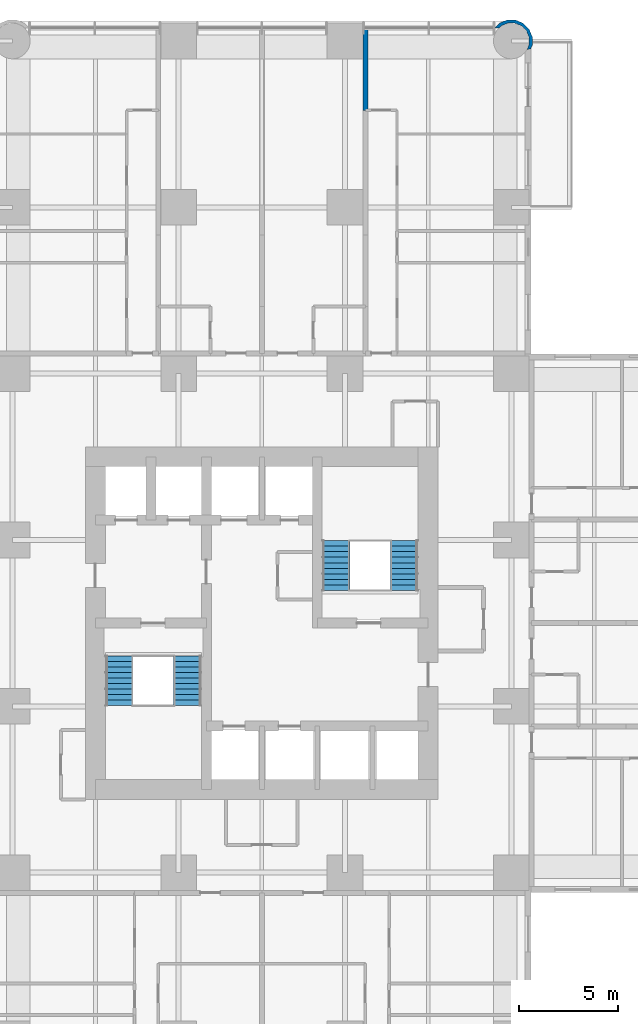
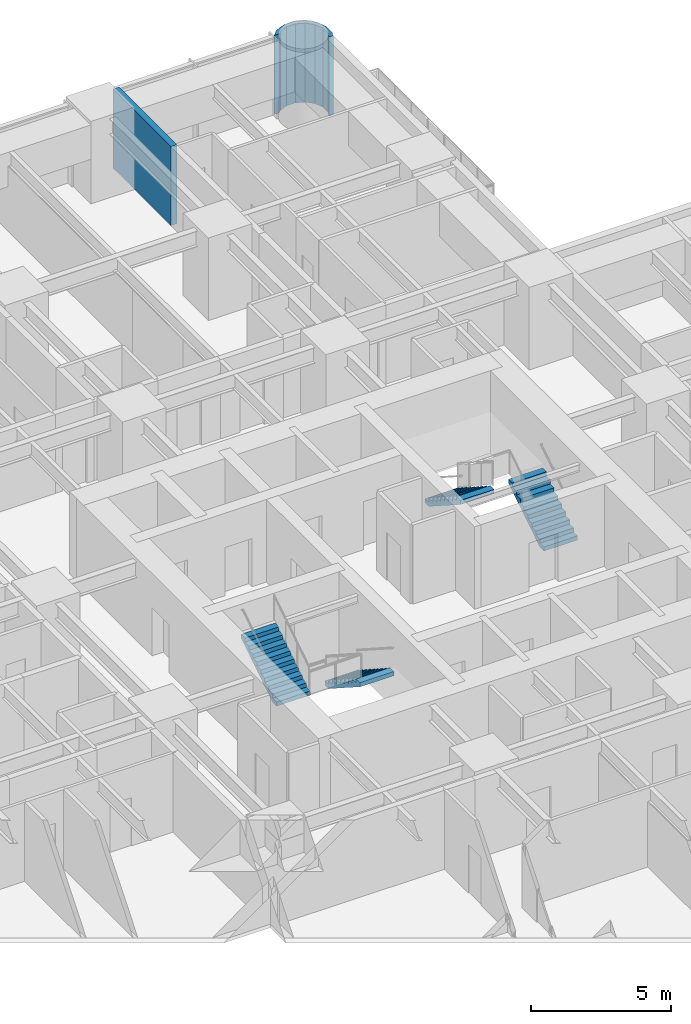
# One storey, part 15 of 17: 4 stair flights, 2 walls, 2 elements without a shape of their own.
"""IFC4 building model written with IfcOpenShell, lengths in metres."""

from ifc_helpers import new_model, si_unit, direction, frame, frame_2d, origin, place, context, subcontext, project, spatial, polyline, rectangle, outline, extrude, material, layer, layer_set, type_object, element, aggregate, save


model = new_model("IFC4")

# Units and contexts
model_context = context("Model", 3, precision=1e-05, world=origin(), true_north=direction((0.0, 1.0)))
body_context = subcontext(model_context, "Body", "Model", "MODEL_VIEW")
ifc_project = project(units=[si_unit("LENGTHUNIT", "METRE"), si_unit("AREAUNIT", "SQUARE_METRE"), si_unit("VOLUMEUNIT", "CUBIC_METRE"), si_unit("PLANEANGLEUNIT", "RADIAN"), si_unit("MASSUNIT", "GRAM", prefix="KILO")], contexts=[model_context])

# Site, building, storey
site_placement = place(None, origin())
site = spatial("IfcSite", under=ifc_project, at=site_placement, CompositionType="ELEMENT")
building_placement = place(site_placement, origin())
building = spatial("IfcBuilding", under=site, at=building_placement, Name="Torre Alcanfor", CompositionType="ELEMENT")
storey_placement = place(building_placement, frame((0.0, 0.0, 88.5)))
storey = spatial("IfcBuildingStorey", under=building, at=storey_placement, Name="L22", CompositionType="ELEMENT", Elevation=88.5)

# Walls
ifc_material_1 = material(Name="Concrete block masonry, hollow blocks NMX-C-404 9 MPa", Category="masonry")
ifc_layer_1 = layer(ifc_material_1, 0.25)
ifc_layer_set_1 = layer_set([ifc_layer_1], Name="Party wall 250 EI 60")
wall_type_1 = type_object("IfcWallType", Name="Party wall 250 EI 60", PredefinedType="PARTITIONING", material=ifc_layer_set_1)
wall_1_placement = place(storey_placement, frame((34.62890625, 59.449951171875, 0.0), z_axis=(0.0, 0.0, 1.0), x_axis=(0.0, -1.0, 0.0)))
element("IfcWall", 1, at=wall_1_placement, inside=storey, type_object=wall_type_1, Name="Partition L22-N2A-STUDIO / L22-N2B-LIVING", PredefinedType="PARTITIONING", context=body_context, shape_type="SweptSolid", body=[
    extrude(rectangle(XDim=4.14990234375, YDim=0.25, at=frame_2d((2.074951171875, 0.0))), origin(), (0.0, 0.0, 1.0), 3.449951171875),
])
ifc_material_2 = material(Name="Limestone cladding", Category="masonry")
ifc_layer_2 = layer(ifc_material_2, 0.0400390625, Name="Facing")
ifc_material_3 = material(Name="Ventilated air cavity")
ifc_layer_3 = layer(ifc_material_3, 0.02001953125, ventilated=True, Name="Ventilated joint")
ifc_material_4 = material(Name="Mineral wool insulation", Category="insulation")
ifc_layer_4 = layer(ifc_material_4, 0.10009765625, Name="Insulation")
ifc_material_5 = material(Name="Concrete f'c 35 MPa", Category="concrete")
ifc_layer_5 = layer(ifc_material_5, 0.139892578125, Name="Backing")
ifc_layer_set_2 = layer_set([ifc_layer_2, ifc_layer_3, ifc_layer_4, ifc_layer_5], Name="Rounded corner pier stone-clad 300")
wall_type_2 = type_object("IfcWallType", Name="Rounded corner pier stone-clad 300", PredefinedType="SOLIDWALL", material=ifc_layer_set_2)
wall_2_placement = place(storey_placement, frame((42.909907157, 58.436037137, 0.0), z_axis=(0.0, 0.0, 1.0), x_axis=(0.377204953059, 0.926129809145, 0.0)))
element("IfcWall", 2, at=wall_2_placement, inside=storey, type_object=wall_type_2, Name="Corner pier L22 19", PredefinedType="SOLIDWALL", context=body_context, shape_type="SweptSolid", body=[
    extrude(outline(polyline([(0.7691852559267269, 1.7275655888693722), (0.7500837815089341, 1.7226854696447296), (0.5995184426781746, 1.8748886632921522), (0.2945936606603473, 2.0035010026328943), (0.2810273060341947, 1.997975539453316), (0.36031770266114094, 1.803298350568026), (0.5085974876189833, 1.7408474269996308), (0.7606365681954048, 1.4857768783201941), (0.8958262339890831, 1.1538534018003268), (0.8937222712355792, 0.7952725095567933), (0.7546148492098406, 0.46498406151765126), (0.499678315387847, 0.21326317790465843), (0.16775483886797962, 0.07807351211098004), (-0.09987659960761772, 0.07952365190173498), (0.0005179574386563676, -0.09706789048462287), (0.030062934124933945, -0.08028941878374739), (0.19840443706273136, -0.08131937838229769), (0.5888893443854909, 0.07772187013655965), (0.888882191412798, 0.3741551975114527), (1.0524222412975957, 0.7628997957685094), (1.0551270334293679, 1.1847291059055145), (0.8961778759635035, 1.5749879073178383), (0.7777318237989179, 1.6949314401857838), (0.7691852559267269, 1.7275655888693722)])), origin(), (0.0, 0.0, 1.0), 3.449951171875),
])

# Stair, stair flights
ifc_material_6 = material(Name="Concrete f'c 35 MPa", Category="concrete")
stair_type_1 = type_object("IfcStairType", Name="Exit stair S1 1400 wide", PredefinedType="HALF_TURN_STAIR", material=ifc_material_6)
stair_1_placement = place(storey_placement, origin())
stair_1 = element("IfcStair", 3, at=stair_1_placement, inside=storey, type_object=stair_type_1, Name="Stair S1 L22 to L23", PredefinedType="HALF_TURN_STAIR")
ifc_material_7 = material(Name="Concrete f'c 35 MPa", Category="concrete")
stair_flight_type = type_object("IfcStairFlightType", Name="Stair flight 1400", PredefinedType="STRAIGHT", material=ifc_material_7)
stair_flight_1_placement = place(storey_placement, frame((25.64990234375, 27.75, 0.0), z_axis=(0.0, 0.0, 1.0), x_axis=(0.0, -1.0, 0.0)))
stair_flight_1 = element("IfcStairFlight", 4, at=stair_flight_1_placement, type_object=stair_flight_type, Name="S1 flight 1", NumberOfRisers=10, NumberOfTreads=9, PredefinedType="STRAIGHT", RiserHeight=0.18, TreadLength=0.28, context=body_context, shape_type="SweptSolid", body=[
    extrude(outline(polyline([(0.0, 0.0), (0.0, 0.179931640625), (0.280029296875, 0.179931640625), (0.280029296875, 0.360107421875), (0.56005859375, 0.360107421875), (0.56005859375, 0.5400390625), (0.840087890625, 0.5400390625), (0.840087890625, 0.719970703125), (1.1201171875, 0.719970703125), (1.1201171875, 0.89990234375), (1.39990234375, 0.89990234375), (1.39990234375, 1.080078125), (1.679931640625, 1.080078125), (1.679931640625, 1.260009765625), (1.9599609375, 1.260009765625), (1.9599609375, 1.43994140625), (2.239990234375, 1.43994140625), (2.239990234375, 1.6201171875), (2.52001953125, 1.6201171875), (2.52001953125, 1.800048828125), (2.52001953125, 1.44189453125), (0.277099609375, 0.0), (0.0, 0.0)])), frame((0.0, 0.699951171875, 0.0), z_axis=(0.0, -1.0, 0.0), x_axis=(1.0, 0.0, 0.0)), (0.0, 0.0, 1.0), 1.39990234375),
])
stair_flight_2_placement = place(storey_placement, frame((22.199951171875, 25.22998046875, 1.800048828125), z_axis=(0.0, 0.0, 1.0), x_axis=(0.0, 1.0, 0.0)))
stair_flight_2 = element("IfcStairFlight", 5, at=stair_flight_2_placement, type_object=stair_flight_type, Name="S1 flight 2", NumberOfRisers=10, NumberOfTreads=9, PredefinedType="STRAIGHT", RiserHeight=0.18, TreadLength=0.28, context=body_context, shape_type="SweptSolid", body=[
    extrude(outline(polyline([(0.0, 0.0), (0.0, 0.179931640625), (0.280029296875, 0.179931640625), (0.280029296875, 0.360107421875), (0.56005859375, 0.360107421875), (0.56005859375, 0.5400390625), (0.840087890625, 0.5400390625), (0.840087890625, 0.719970703125), (1.1201171875, 0.719970703125), (1.1201171875, 0.89990234375), (1.39990234375, 0.89990234375), (1.39990234375, 1.080078125), (1.679931640625, 1.080078125), (1.679931640625, 1.260009765625), (1.9599609375, 1.260009765625), (1.9599609375, 1.43994140625), (2.239990234375, 1.43994140625), (2.239990234375, 1.6201171875), (2.52001953125, 1.6201171875), (2.52001953125, 1.800048828125), (2.52001953125, 1.44189453125), (0.277099609375, 0.0), (0.0, 0.0)])), frame((0.0, 0.699951171875, 0.0), z_axis=(0.0, -1.0, 0.0), x_axis=(1.0, 0.0, 0.0)), (0.0, 0.0, 1.0), 1.39990234375),
])
aggregate(stair_1, [stair_flight_1, stair_flight_2])

ifc_material_8 = material(Name="Concrete f'c 35 MPa", Category="concrete")
stair_type_2 = type_object("IfcStairType", Name="Exit stair S2 1400 wide", PredefinedType="HALF_TURN_STAIR", material=ifc_material_8)
stair_2_placement = place(storey_placement, origin())
stair_2 = element("IfcStair", 6, at=stair_2_placement, inside=storey, type_object=stair_type_2, Name="Stair S2 L22 to L23", PredefinedType="HALF_TURN_STAIR")
stair_flight_3_placement = place(storey_placement, frame((36.60009765625, 31.050048828125, 0.0), z_axis=(0.0, 0.0, 1.0), x_axis=(0.0, 1.0, 0.0)))
stair_flight_3 = element("IfcStairFlight", 7, at=stair_flight_3_placement, type_object=stair_flight_type, Name="S2 flight 1", NumberOfRisers=10, NumberOfTreads=9, PredefinedType="STRAIGHT", RiserHeight=0.18, TreadLength=0.28, context=body_context, shape_type="SweptSolid", body=[
    extrude(outline(polyline([(0.0, 0.0), (0.0, 0.179931640625), (0.280029296875, 0.179931640625), (0.280029296875, 0.360107421875), (0.56005859375, 0.360107421875), (0.56005859375, 0.5400390625), (0.840087890625, 0.5400390625), (0.840087890625, 0.719970703125), (1.1201171875, 0.719970703125), (1.1201171875, 0.89990234375), (1.39990234375, 0.89990234375), (1.39990234375, 1.080078125), (1.679931640625, 1.080078125), (1.679931640625, 1.260009765625), (1.9599609375, 1.260009765625), (1.9599609375, 1.43994140625), (2.239990234375, 1.43994140625), (2.239990234375, 1.6201171875), (2.52001953125, 1.6201171875), (2.52001953125, 1.800048828125), (2.52001953125, 1.44189453125), (0.277099609375, 0.0), (0.0, 0.0)])), frame((0.0, 0.699951171875, 0.0), z_axis=(0.0, -1.0, 0.0), x_axis=(1.0, 0.0, 0.0)), (0.0, 0.0, 1.0), 1.39990234375),
])
stair_flight_4_placement = place(storey_placement, frame((33.14990234375, 33.570068359375, 1.800048828125), z_axis=(0.0, 0.0, 1.0), x_axis=(0.0, -1.0, 0.0)))
stair_flight_4 = element("IfcStairFlight", 8, at=stair_flight_4_placement, type_object=stair_flight_type, Name="S2 flight 2", NumberOfRisers=10, NumberOfTreads=9, PredefinedType="STRAIGHT", RiserHeight=0.18, TreadLength=0.28, context=body_context, shape_type="SweptSolid", body=[
    extrude(outline(polyline([(0.0, 0.0), (0.0, 0.179931640625), (0.280029296875, 0.179931640625), (0.280029296875, 0.360107421875), (0.56005859375, 0.360107421875), (0.56005859375, 0.5400390625), (0.840087890625, 0.5400390625), (0.840087890625, 0.719970703125), (1.1201171875, 0.719970703125), (1.1201171875, 0.89990234375), (1.39990234375, 0.89990234375), (1.39990234375, 1.080078125), (1.679931640625, 1.080078125), (1.679931640625, 1.260009765625), (1.9599609375, 1.260009765625), (1.9599609375, 1.43994140625), (2.239990234375, 1.43994140625), (2.239990234375, 1.6201171875), (2.52001953125, 1.6201171875), (2.52001953125, 1.800048828125), (2.52001953125, 1.44189453125), (0.277099609375, 0.0), (0.0, 0.0)])), frame((0.0, 0.699951171875, 0.0), z_axis=(0.0, -1.0, 0.0), x_axis=(1.0, 0.0, 0.0)), (0.0, 0.0, 1.0), 1.39990234375),
])
aggregate(stair_2, [stair_flight_3, stair_flight_4])

save(model, "model.ifc")
